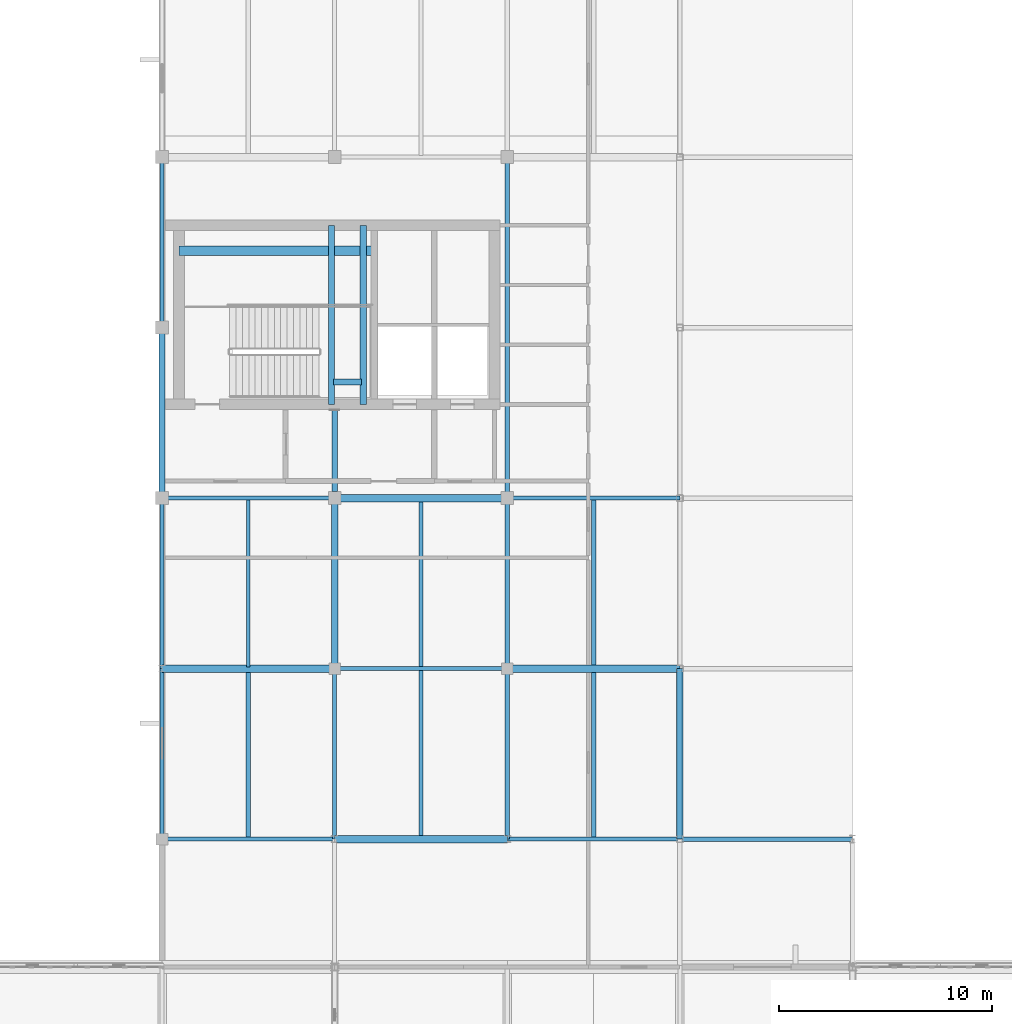
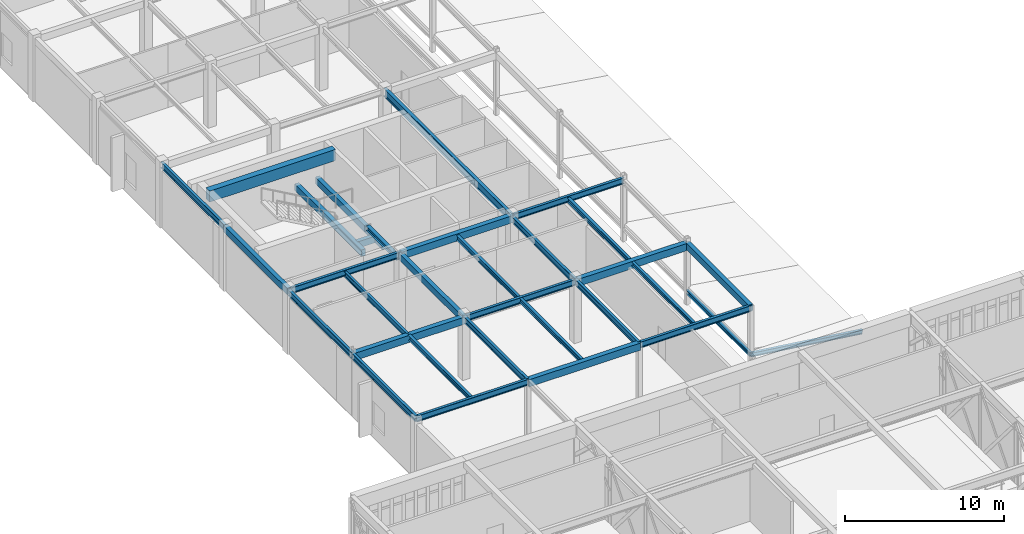
# One storey, part 19 of 70: 30 beams, 2 members.
"""IFC4 building model written with IfcOpenShell, lengths in metres."""

from ifc_helpers import new_model, si_unit, direction, frame, origin, origin_2d, place, context, subcontext, project, spatial, rectangle, i_section, extrude, material, material_profile, profile_set, type_object, element, save


model = new_model("IFC4")

# Units and contexts
model_context = context("Model", 3, precision=1e-05, world=origin(), true_north=direction((0.0, 1.0)))
body_context = subcontext(model_context, "Body", "Model", "MODEL_VIEW")
ifc_project = project(units=[si_unit("LENGTHUNIT", "METRE"), si_unit("AREAUNIT", "SQUARE_METRE"), si_unit("VOLUMEUNIT", "CUBIC_METRE"), si_unit("PLANEANGLEUNIT", "RADIAN"), si_unit("MASSUNIT", "GRAM", prefix="KILO")], contexts=[model_context])

# Site, building, storey
site_placement = place(None, origin())
site = spatial("IfcSite", under=ifc_project, at=site_placement, CompositionType="ELEMENT")
building_placement = place(site_placement, origin())
building = spatial("IfcBuilding", under=site, at=building_placement, Name="Tarnveldt Square Police Headquarters", CompositionType="ELEMENT")
storey_placement = place(building_placement, frame((0.0, 0.0, 19.800048828125)))
storey = spatial("IfcBuildingStorey", under=building, at=storey_placement, Name="L04", CompositionType="ELEMENT", Elevation=19.800048828125)

# Beams
ifc_material_1 = material(Name="Concrete 50 MPa", Category="concrete")
ifc_material_profile_1 = material_profile(ifc_material_1, rectangle(XDim=0.449951171875, YDim=0.85009765625, at=origin_2d()), Name="RC-CB450x850")
ifc_profile_set_1 = profile_set([ifc_material_profile_1], Name="Concrete 50 MPa")
beam_type_1 = type_object("IfcBeamType", Name="BM-CB450x850", PredefinedType="BEAM", material=ifc_profile_set_1)
beam_1_placement = place(storey_placement, frame((17.0, 67.60009765625, 4.675048828125), z_axis=(1.0, 0.0, 0.0), x_axis=(0.0, 1.0, 0.0)))
element("IfcBeam", 1, at=beam_1_placement, inside=storey, type_object=beam_type_1, Name="Core K1 South-West Command and Firefighting Core L04 Ductile Coupling Beam", PredefinedType="BEAM", context=body_context, shape_type="SweptSolid", body=[
    extrude(rectangle(XDim=0.449951171875, YDim=0.85009765625, at=origin_2d()), origin(), (0.0, 0.0, 1.0), 9.14990234375),
])
ifc_material_2 = material(Name="Concrete 40 MPa", Category="concrete")
ifc_material_profile_2 = material_profile(ifc_material_2, rectangle(XDim=0.300048828125, YDim=0.5, at=origin_2d()), Name="RC-B300x500")
ifc_profile_set_2 = profile_set([ifc_material_profile_2], Name="Concrete 40 MPa")
beam_type_2 = type_object("IfcBeamType", Name="BM-RC300x500", PredefinedType="BEAM", material=ifc_profile_set_2)
beam_2_placement = place(storey_placement, frame((24.14990234375, 60.39990234375, 2.099853515625), z_axis=(0.0, 1.0, 0.0), x_axis=(-1.0, 0.0, 0.0)))
element("IfcBeam", 2, at=beam_2_placement, inside=storey, type_object=beam_type_2, Name="ST1 L04 Half-Landing Support Beam 1", PredefinedType="BEAM", context=body_context, shape_type="SweptSolid", body=[
    extrude(rectangle(XDim=0.300048828125, YDim=0.5, at=origin_2d()), origin(), (0.0, 0.0, 1.0), 8.400146484375),
])
beam_3_placement = place(storey_placement, frame((24.25, 61.449951171875, 2.099853515625), z_axis=(1.0, 0.0, 0.0), x_axis=(0.0, 1.0, 0.0)))
element("IfcBeam", 3, at=beam_3_placement, inside=storey, type_object=beam_type_2, Name="ST1 L04 Half-Landing Support Beam 2", PredefinedType="BEAM", context=body_context, shape_type="SweptSolid", body=[
    extrude(rectangle(XDim=0.300048828125, YDim=0.5, at=origin_2d()), origin(), (0.0, 0.0, 1.0), 1.300048828125),
])
beam_4_placement = place(storey_placement, frame((25.64990234375, 60.39990234375, 2.099853515625), z_axis=(0.0, 1.0, 0.0), x_axis=(-1.0, 0.0, 0.0)))
element("IfcBeam", 4, at=beam_4_placement, inside=storey, type_object=beam_type_2, Name="ST1 L04 Half-Landing Transverse Support Beam", PredefinedType="BEAM", context=body_context, shape_type="SweptSolid", body=[
    extrude(rectangle(XDim=0.300048828125, YDim=0.5, at=origin_2d()), origin(), (0.0, 0.0, 1.0), 8.400146484375),
])
for number, where, z_axis, x_axis, name in (
    (5, (16.199951171875, 56.0, 4.60986328125), (0.0, 1.0, 0.0), (-1.0, 0.0, 0.0), "L05 Grid Girder Y-0967"),
    (6, (24.300048828125, 48.0, 4.510009765625), (0.0, 1.0, 0.0), (-1.0, 0.0, 0.0), "L05 Grid Girder Y-0976"),
    (7, (40.5, 40.0, 4.510009765625), (0.0, 1.0, 0.0), (-1.0, 0.0, 0.0), "L05 Grid Girder Y-0988"),
):
    element("IfcBeam", number, at=place(storey_placement, frame(where, z_axis=z_axis, x_axis=x_axis)), inside=storey, type_object=beam_type_2, Name=name, PredefinedType="BEAM", context=body_context, shape_type="SweptSolid", body=[
        extrude(rectangle(XDim=0.300048828125, YDim=0.5, at=origin_2d()), origin(), (0.0, 0.0, 1.0), 8.0),
    ])
ifc_material_profile_3 = material_profile(ifc_material_2, rectangle(XDim=0.35009765625, YDim=0.550048828125, at=origin_2d()), Name="RC-B350x550")
ifc_profile_set_3 = profile_set([ifc_material_profile_3], Name="Concrete 40 MPa")
beam_type_3 = type_object("IfcBeamType", Name="BM-RC350x550", PredefinedType="BEAM", material=ifc_profile_set_3)
beam_5_placement = place(storey_placement, frame((24.300048828125, 40.0, 4.48486328125), z_axis=(1.0, 0.0, 0.0), x_axis=(0.0, 1.0, 0.0)))
element("IfcBeam", 8, at=beam_5_placement, inside=storey, type_object=beam_type_3, Name="L05 Grid Girder X-0920", PredefinedType="BEAM", context=body_context, shape_type="SweptSolid", body=[
    extrude(rectangle(XDim=0.35009765625, YDim=0.550048828125, at=origin_2d()), origin(), (0.0, 0.0, 1.0), 8.099853515625),
])
for number, where, z_axis, x_axis, name in (
    (9, (16.199951171875, 48.0, 4.48486328125), (1.0, 0.0, 0.0), (0.0, 1.0, 0.0), "L05 Grid Girder X-0922"),
    (10, (32.39990234375, 48.0, 4.48486328125), (1.0, 0.0, 0.0), (0.0, 1.0, 0.0), "L05 Grid Girder X-0924"),
):
    element("IfcBeam", number, at=place(storey_placement, frame(where, z_axis=z_axis, x_axis=x_axis)), inside=storey, type_object=beam_type_3, Name=name, PredefinedType="BEAM", context=body_context, shape_type="SweptSolid", body=[
        extrude(rectangle(XDim=0.35009765625, YDim=0.550048828125, at=origin_2d()), origin(), (0.0, 0.0, 1.0), 8.10009765625),
    ])
beam_6_placement = place(storey_placement, frame((24.300048828125, 56.0, 4.5849609375), z_axis=(1.0, 0.0, 0.0), x_axis=(0.0, 1.0, 0.0)))
element("IfcBeam", 11, at=beam_6_placement, inside=storey, type_object=beam_type_3, Name="L05 Grid Girder X-0926", PredefinedType="BEAM", context=body_context, shape_type="SweptSolid", body=[
    extrude(rectangle(XDim=0.35009765625, YDim=0.550048828125, at=origin_2d()), origin(), (0.0, 0.0, 1.0), 8.099853515625),
])
ifc_material_3 = material(Name="Steel 350W", Category="steel")
ifc_material_profile_4 = material_profile(ifc_material_3, i_section(OverallWidth=0.202880859375, OverallDepth=0.302978515625, WebThickness=0.007568359375, FlangeThickness=0.01318359375, FilletRadius=0.014892578125, at=origin_2d()), Name="W310x60")
ifc_profile_set_4 = profile_set([ifc_material_profile_4], Name="Steel 350W")
beam_type_4 = type_object("IfcBeamType", Name="BM-W310x60", PredefinedType="JOIST", material=ifc_profile_set_4)
beam_7_placement = place(storey_placement, frame((36.449951171875, 40.080078125, 4.6083984375), z_axis=(0.0, 1.0, 0.0), x_axis=(-1.0, 0.0, 0.0)))
element("IfcBeam", 12, at=beam_7_placement, inside=storey, type_object=beam_type_4, Name="L05 Secondary Floor Joist 0212", PredefinedType="JOIST", context=body_context, shape_type="SweptSolid", body=[
    extrude(i_section(OverallWidth=0.202880859375, OverallDepth=0.302978515625, WebThickness=0.007568359375, FlangeThickness=0.01318359375, FilletRadius=0.014892578125, at=origin_2d()), origin(), (0.0, 0.0, 1.0), 7.83984375),
])
beam_8_placement = place(storey_placement, frame((40.5, 40.0, 0.93994140625), z_axis=(0.0, 1.0, 0.0), x_axis=(-1.0, 0.0, 0.0)))
element("IfcBeam", 13, at=beam_8_placement, inside=storey, type_object=beam_type_4, Name="Winter-Garden High-Eave Beam 1", PredefinedType="JOIST", context=body_context, shape_type="SweptSolid", body=[
    extrude(i_section(OverallWidth=0.202880859375, OverallDepth=0.302978515625, WebThickness=0.007568359375, FlangeThickness=0.01318359375, FilletRadius=0.014892578125, at=origin_2d()), origin(), (0.0, 0.0, 1.0), 8.0),
])
ifc_material_profile_5 = material_profile(ifc_material_3, i_section(OverallWidth=0.202880859375, OverallDepth=0.346923828125, WebThickness=0.0078125, FlangeThickness=0.013427734375, FilletRadius=0.01611328125, at=origin_2d()), Name="W360x64")
ifc_profile_set_5 = profile_set([ifc_material_profile_5], Name="Steel 350W")
beam_type_5 = type_object("IfcBeamType", Name="BM-W360x64", PredefinedType="JOIST", material=ifc_profile_set_5)
for number, where, z_axis, x_axis, name in (
    (14, (28.35009765625, 40.080078125, 4.58642578125), (0.0, 1.0, 0.0), (-1.0, 0.0, 0.0), "L05 Secondary Floor Joist 0211"),
    (15, (36.449951171875, 48.080078125, 4.58642578125), (0.0, 1.0, 0.0), (-1.0, 0.0, 0.0), "L05 Secondary Floor Joist 0215"),
):
    element("IfcBeam", number, at=place(storey_placement, frame(where, z_axis=z_axis, x_axis=x_axis)), inside=storey, type_object=beam_type_5, Name=name, PredefinedType="JOIST", context=body_context, shape_type="SweptSolid", body=[
        extrude(i_section(OverallWidth=0.202880859375, OverallDepth=0.346923828125, WebThickness=0.0078125, FlangeThickness=0.013427734375, FilletRadius=0.01611328125, at=origin_2d()), origin(), (0.0, 0.0, 1.0), 7.83984375),
    ])
ifc_material_profile_6 = material_profile(ifc_material_3, i_section(OverallWidth=0.205078125, OverallDepth=0.35400390625, WebThickness=0.009521484375, FlangeThickness=0.016845703125, FilletRadius=0.01611328125, at=origin_2d()), Name="W360x79")
ifc_profile_set_6 = profile_set([ifc_material_profile_6], Name="Steel 350W")
beam_type_6 = type_object("IfcBeamType", Name="BM-W360x79", PredefinedType="JOIST", material=ifc_profile_set_6)
for number, where, z_axis, x_axis, name in (
    (16, (20.25, 40.080078125, 4.5830078125), (0.0, 1.0, 0.0), (-1.0, 0.0, 0.0), "L05 Secondary Floor Joist 0210"),
    (17, (28.35009765625, 48.080078125, 4.5830078125), (0.0, 1.0, 0.0), (-1.0, 0.0, 0.0), "L05 Secondary Floor Joist 0214"),
):
    element("IfcBeam", number, at=place(storey_placement, frame(where, z_axis=z_axis, x_axis=x_axis)), inside=storey, type_object=beam_type_6, Name=name, PredefinedType="JOIST", context=body_context, shape_type="SweptSolid", body=[
        extrude(i_section(OverallWidth=0.205078125, OverallDepth=0.35400390625, WebThickness=0.009521484375, FlangeThickness=0.016845703125, FilletRadius=0.01611328125, at=origin_2d()), origin(), (0.0, 0.0, 1.0), 7.83984375),
    ])
ifc_material_profile_7 = material_profile(ifc_material_3, i_section(OverallWidth=0.177978515625, OverallDepth=0.406982421875, WebThickness=0.0078125, FlangeThickness=0.0126953125, FilletRadius=0.01611328125, at=origin_2d()), Name="W410x60")
ifc_profile_set_7 = profile_set([ifc_material_profile_7], Name="Steel 350W")
beam_type_7 = type_object("IfcBeamType", Name="BM-W410x60", PredefinedType="JOIST", material=ifc_profile_set_7)
beam_9_placement = place(storey_placement, frame((20.25, 48.080078125, 4.556396484375), z_axis=(0.0, 1.0, 0.0), x_axis=(-1.0, 0.0, 0.0)))
element("IfcBeam", 18, at=beam_9_placement, inside=storey, type_object=beam_type_7, Name="L05 Secondary Floor Joist 0213", PredefinedType="JOIST", context=body_context, shape_type="SweptSolid", body=[
    extrude(i_section(OverallWidth=0.177978515625, OverallDepth=0.406982421875, WebThickness=0.0078125, FlangeThickness=0.0126953125, FilletRadius=0.01611328125, at=origin_2d()), origin(), (0.0, 0.0, 1.0), 7.83984375),
])
ifc_material_profile_8 = material_profile(ifc_material_3, i_section(OverallWidth=0.19189453125, OverallDepth=0.462890625, WebThickness=0.010498046875, FlangeThickness=0.017578125, FilletRadius=0.01806640625, at=origin_2d()), Name="W460x89")
ifc_profile_set_8 = profile_set([ifc_material_profile_8], Name="Steel 350W")
beam_type_8 = type_object("IfcBeamType", Name="BM-W460x89", PredefinedType="BEAM", material=ifc_profile_set_8)
for number, where, z_axis, x_axis, name in (
    (19, (16.199951171875, 40.0, 4.528564453125), (1.0, 0.0, 0.0), (0.0, 1.0, 0.0), "L05 Grid Girder X-0919"),
    (20, (32.39990234375, 40.0, 4.528564453125), (1.0, 0.0, 0.0), (0.0, 1.0, 0.0), "L05 Grid Girder X-0921"),
):
    element("IfcBeam", number, at=place(storey_placement, frame(where, z_axis=z_axis, x_axis=x_axis)), inside=storey, type_object=beam_type_8, Name=name, PredefinedType="BEAM", context=body_context, shape_type="SweptSolid", body=[
        extrude(i_section(OverallWidth=0.19189453125, OverallDepth=0.462890625, WebThickness=0.010498046875, FlangeThickness=0.017578125, FilletRadius=0.01806640625, at=origin_2d()), origin(), (0.0, 0.0, 1.0), 8.10009765625),
    ])
beam_10_placement = place(storey_placement, frame((24.300048828125, 48.0, 4.528564453125), z_axis=(1.0, 0.0, 0.0), x_axis=(0.0, 1.0, 0.0)))
element("IfcBeam", 21, at=beam_10_placement, inside=storey, type_object=beam_type_8, Name="L05 Grid Girder X-0923", PredefinedType="BEAM", context=body_context, shape_type="SweptSolid", body=[
    extrude(i_section(OverallWidth=0.19189453125, OverallDepth=0.462890625, WebThickness=0.010498046875, FlangeThickness=0.017578125, FilletRadius=0.01806640625, at=origin_2d()), origin(), (0.0, 0.0, 1.0), 8.099853515625),
])
for number, where, z_axis, x_axis, name in (
    (22, (16.199951171875, 56.0, 4.62841796875), (1.0, 0.0, 0.0), (0.0, 1.0, 0.0), "L05 Grid Girder X-0925"),
    (23, (32.39990234375, 56.0, 4.62841796875), (1.0, 0.0, 0.0), (0.0, 1.0, 0.0), "L05 Grid Girder X-0927"),
):
    element("IfcBeam", number, at=place(storey_placement, frame(where, z_axis=z_axis, x_axis=x_axis)), inside=storey, type_object=beam_type_8, Name=name, PredefinedType="BEAM", context=body_context, shape_type="SweptSolid", body=[
        extrude(i_section(OverallWidth=0.19189453125, OverallDepth=0.462890625, WebThickness=0.010498046875, FlangeThickness=0.017578125, FilletRadius=0.01806640625, at=origin_2d()), origin(), (0.0, 0.0, 1.0), 8.10009765625),
    ])
for number, where, z_axis, x_axis, name in (
    (24, (16.199951171875, 40.0, 4.528564453125), (0.0, 1.0, 0.0), (-1.0, 0.0, 0.0), "L05 Grid Girder Y-0965"),
    (25, (16.199951171875, 48.0, 4.528564453125), (0.0, 1.0, 0.0), (-1.0, 0.0, 0.0), "L05 Grid Girder Y-0966"),
    (26, (16.199951171875, 64.0, 4.62841796875), (0.0, 1.0, 0.0), (-1.0, 0.0, 0.0), "L05 Grid Girder Y-0968"),
    (27, (24.300048828125, 40.0, 4.528564453125), (0.0, 1.0, 0.0), (-1.0, 0.0, 0.0), "L05 Grid Girder Y-0975"),
    (28, (32.39990234375, 40.0, 4.528564453125), (0.0, 1.0, 0.0), (-1.0, 0.0, 0.0), "L05 Grid Girder Y-0980"),
    (29, (32.39990234375, 48.0, 4.528564453125), (0.0, 1.0, 0.0), (-1.0, 0.0, 0.0), "L05 Grid Girder Y-0981"),
):
    element("IfcBeam", number, at=place(storey_placement, frame(where, z_axis=z_axis, x_axis=x_axis)), inside=storey, type_object=beam_type_8, Name=name, PredefinedType="BEAM", context=body_context, shape_type="SweptSolid", body=[
        extrude(i_section(OverallWidth=0.19189453125, OverallDepth=0.462890625, WebThickness=0.010498046875, FlangeThickness=0.017578125, FilletRadius=0.01806640625, at=origin_2d()), origin(), (0.0, 0.0, 1.0), 8.0),
    ])
ifc_material_profile_9 = material_profile(ifc_material_3, i_section(OverallWidth=0.22900390625, OverallDepth=0.612060546875, WebThickness=0.011962890625, FlangeThickness=0.01953125, FilletRadius=0.01904296875, at=origin_2d()), Name="W610x125")
ifc_profile_set_9 = profile_set([ifc_material_profile_9], Name="Steel 350W")
beam_type_9 = type_object("IfcBeamType", Name="BM-W610x125", PredefinedType="BEAM", material=ifc_profile_set_9)
beam_11_placement = place(storey_placement, frame((32.39990234375, 56.0, 4.553955078125), z_axis=(0.0, 1.0, 0.0), x_axis=(-1.0, 0.0, 0.0)))
element("IfcBeam", 30, at=beam_11_placement, inside=storey, type_object=beam_type_9, Name="L05 Grid Girder Y-0982", PredefinedType="BEAM", context=body_context, shape_type="SweptSolid", body=[
    extrude(i_section(OverallWidth=0.22900390625, OverallDepth=0.612060546875, WebThickness=0.011962890625, FlangeThickness=0.01953125, FilletRadius=0.01904296875, at=origin_2d()), origin(), (0.0, 0.0, 1.0), 16.0),
])

# Members
ifc_material_profile_10 = material_profile(ifc_material_3, i_section(OverallWidth=0.257080078125, OverallDepth=0.363037109375, WebThickness=0.012939453125, FlangeThickness=0.021728515625, FilletRadius=0.01611328125, at=origin_2d()), Name="W360x122")
ifc_profile_set_10 = profile_set([ifc_material_profile_10], Name="Steel 350W")
member_type_1 = type_object("IfcMemberType", Name="MEM-CT-POST", PredefinedType="STRUT", material=ifc_profile_set_10)
member_1_placement = place(storey_placement, frame((24.300048828125, 56.300048828125, 4.14990234375), z_axis=(0.0, 1.0, 0.0), x_axis=(-1.0, 0.0, 0.0)))
element("IfcMember", 31, at=member_1_placement, inside=storey, type_object=member_type_1, Name="Cantilever Collector Strut CTP1 to Core K1 L04.1", PredefinedType="STRUT", context=body_context, shape_type="SweptSolid", body=[
    extrude(i_section(OverallWidth=0.257080078125, OverallDepth=0.363037109375, WebThickness=0.012939453125, FlangeThickness=0.021728515625, FilletRadius=0.01611328125, at=origin_2d()), origin(), (0.0, 0.0, 1.0), 3.81201171875),
])
ifc_material_profile_11 = material_profile(ifc_material_3, i_section(OverallWidth=0.202880859375, OverallDepth=0.302978515625, WebThickness=0.007568359375, FlangeThickness=0.01318359375, FilletRadius=0.014892578125, at=origin_2d()), Name="W310x60")
ifc_profile_set_11 = profile_set([ifc_material_profile_11], Name="Steel 350W")
member_type_2 = type_object("IfcMemberType", Name="MEM-L07-RAF", PredefinedType="RAFTER", material=ifc_profile_set_11)
member_2_placement = place(storey_placement, frame((40.5, 40.0, 0.93994140625), z_axis=(0.991544993186, 0.0, -0.129763348014), x_axis=(0.0, 1.0, 0.0)))
element("IfcMember", 32, at=member_2_placement, inside=storey, type_object=member_type_2, Name="Winter-Garden Roof Rafter 1", PredefinedType="RAFTER", context=body_context, shape_type="SweptSolid", body=[
    extrude(i_section(OverallWidth=0.202880859375, OverallDepth=0.302978515625, WebThickness=0.007568359375, FlangeThickness=0.01318359375, FilletRadius=0.014892578125, at=origin_2d()), origin(), (0.0, 0.0, 1.0), 8.169189453125),
])

save(model, "model.ifc")
